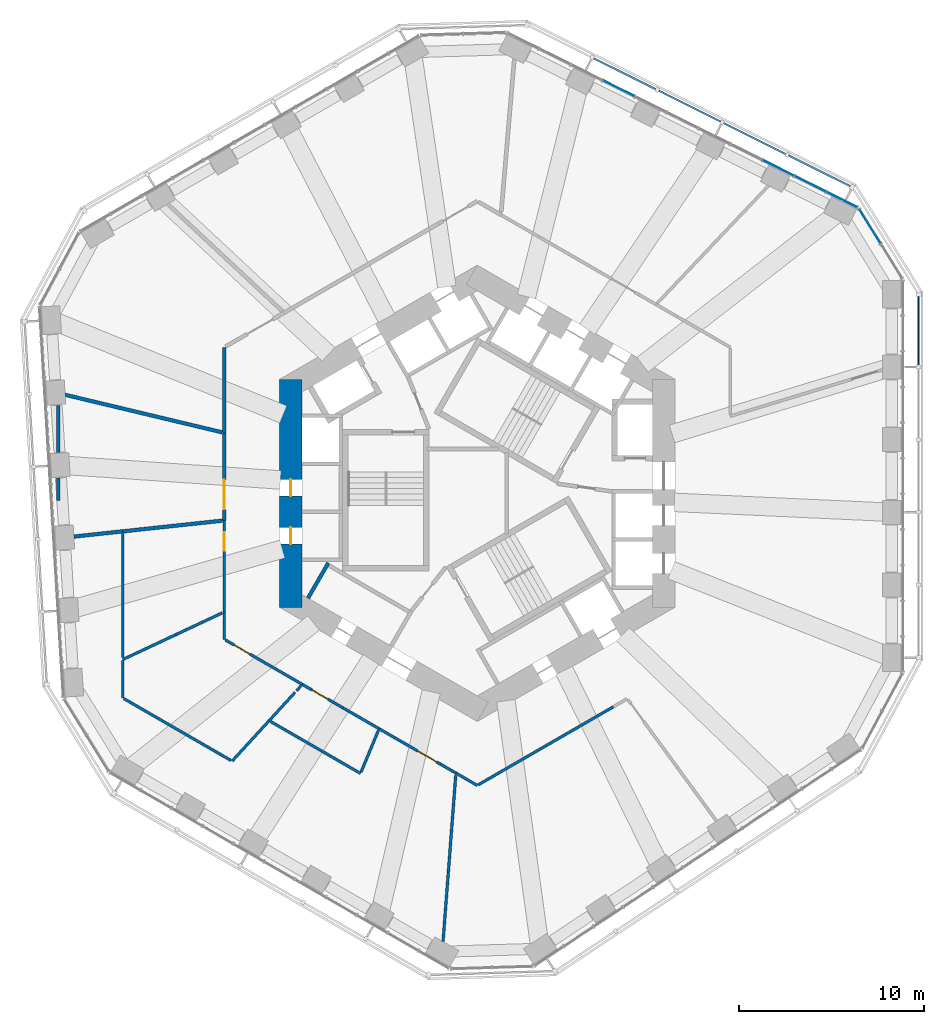
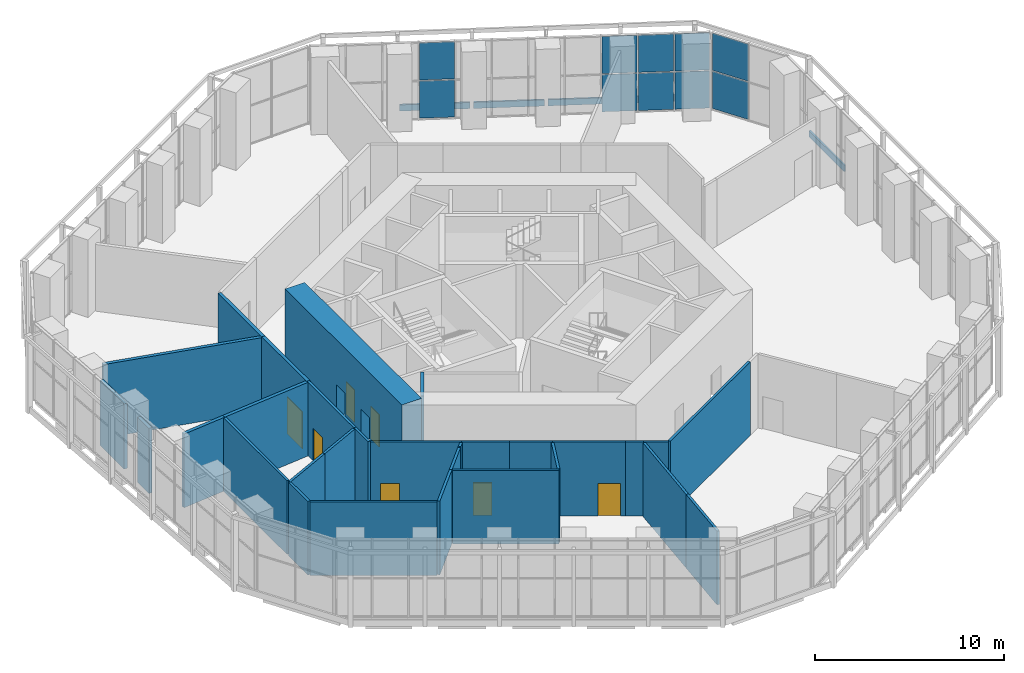
# One storey, part 13 of 19: 30 walls, 15 plates, 7 doors, 7 openings, 4 elements without a shape of their own.
"""IFC4 building model written with IfcOpenShell, lengths in metres."""

from ifc_helpers import new_model, si_unit, direction, frame, frame_2d, origin, origin_2d, place, context, subcontext, project, spatial, rectangle, extrude, material, layer, layer_set, type_object, element, fill, aggregate, save


model = new_model("IFC4")

# Units and contexts
model_context = context("Model", 3, precision=1e-05, world=origin(), true_north=direction((0.0, 1.0)))
body_context = subcontext(model_context, "Body", "Model", "MODEL_VIEW")
ifc_project = project(units=[si_unit("LENGTHUNIT", "METRE"), si_unit("AREAUNIT", "SQUARE_METRE"), si_unit("VOLUMEUNIT", "CUBIC_METRE"), si_unit("PLANEANGLEUNIT", "RADIAN"), si_unit("MASSUNIT", "GRAM", prefix="KILO")], contexts=[model_context])

# Site, building, storey
site_placement = place(None, origin())
site = spatial("IfcSite", under=ifc_project, at=site_placement, CompositionType="ELEMENT")
building_placement = place(site_placement, origin())
building = spatial("IfcBuilding", under=site, at=building_placement, Name="Vanh Sen Convention Tower", CompositionType="ELEMENT")
storey_placement = place(building_placement, frame((0.0, 0.0, 39.0)))
storey = spatial("IfcBuildingStorey", under=building, at=storey_placement, Name="L06", CompositionType="ELEMENT", Elevation=39.0)

# Curtain wall, plates
ifc_material_1 = material(Name="Aluminium structural glazing system", Category="aluminium")
curtain_wall_type_1 = type_object("IfcCurtainWallType", Name="Hotel lobby structural glazing", PredefinedType="NOTDEFINED", material=ifc_material_1)
curtain_wall_1_placement = place(storey_placement, origin())
curtain_wall_1 = element("IfcCurtainWall", 1, at=curtain_wall_1_placement, inside=storey, type_object=curtain_wall_type_1, Name="Hotel lobby glazing CH1 L06", PredefinedType="NOTDEFINED")
ifc_material_2 = material(Name="Clear toughened safety glass", Category="glass")
ifc_layer_1 = layer(ifc_material_2, 0.035888671875)
ifc_layer_set_1 = layer_set([ifc_layer_1], Name="Clear toughened safety glass")
plate_type_1 = type_object("IfcPlateType", Name="Lobby glazing clear glass panel 36", PredefinedType="CURTAIN_PANEL", material=ifc_layer_set_1)
plate_1_placement = place(storey_placement, frame((21.270751953125, 14.46337890625, 0.070068359375), z_axis=(0.0, 0.0, 1.0), x_axis=(-0.526205222812, 0.850357609177, 0.0)))
plate_1 = element("IfcPlate", 2, at=plate_1_placement, type_object=plate_type_1, Name="CW2 panel 2.1", PredefinedType="CURTAIN_PANEL", context=body_context, shape_type="SweptSolid", body=[
    extrude(rectangle(XDim=2.141845703125, YDim=0.035888671875, at=origin_2d()), origin(), (0.0, 0.0, 1.0), 2.39501953125),
])
plate_2_placement = place(storey_placement, frame((21.270751953125, 14.46337890625, 2.534912109375), z_axis=(0.0, 0.0, 1.0), x_axis=(-0.526205222812, 0.850357609177, 0.0)))
plate_2 = element("IfcPlate", 3, at=plate_2_placement, type_object=plate_type_1, Name="CW2 panel 2.2", PredefinedType="CURTAIN_PANEL", context=body_context, shape_type="SweptSolid", body=[
    extrude(rectangle(XDim=2.141845703125, YDim=0.035888671875, at=origin_2d()), origin(), (0.0, 0.0, 1.0), 2.39501953125),
])
aggregate(curtain_wall_1, [plate_1, plate_2])

curtain_wall_2_placement = place(storey_placement, origin())
curtain_wall_2 = element("IfcCurtainWall", 4, at=curtain_wall_2_placement, inside=storey, type_object=curtain_wall_type_1, Name="Hotel lobby glazing NE L06", PredefinedType="NOTDEFINED")
plate_3_placement = place(storey_placement, frame((19.75, 15.9091796875, 0.070068359375), z_axis=(0.0, 0.0, 1.0), x_axis=(-0.89493400144, 0.446198535483, 0.0)))
plate_3 = element("IfcPlate", 5, at=plate_3_placement, type_object=plate_type_1, Name="CW2 panel 1.1", PredefinedType="CURTAIN_PANEL", context=body_context, shape_type="SweptSolid", body=[
    extrude(rectangle(XDim=1.826416015625, YDim=0.035888671875, at=origin_2d()), origin(), (0.0, 0.0, 1.0), 2.39501953125),
])
plate_4_placement = place(storey_placement, frame((19.75, 15.9091796875, 2.534912109375), z_axis=(0.0, 0.0, 1.0), x_axis=(-0.89493400144, 0.446198535483, 0.0)))
plate_4 = element("IfcPlate", 6, at=plate_4_placement, type_object=plate_type_1, Name="CW2 panel 1.2", PredefinedType="CURTAIN_PANEL", context=body_context, shape_type="SweptSolid", body=[
    extrude(rectangle(XDim=1.826416015625, YDim=0.035888671875, at=origin_2d()), origin(), (0.0, 0.0, 1.0), 2.39501953125),
])
plate_5_placement = place(storey_placement, frame((18.037109375, 16.76318359375, 0.070068359375), z_axis=(0.0, 0.0, 1.0), x_axis=(-0.89493400144, 0.446198535483, 0.0)))
plate_5 = element("IfcPlate", 7, at=plate_5_placement, type_object=plate_type_1, Name="CW2 panel 2.1", PredefinedType="CURTAIN_PANEL", context=body_context, shape_type="SweptSolid", body=[
    extrude(rectangle(XDim=1.861572265625, YDim=0.035888671875, at=origin_2d()), origin(), (0.0, 0.0, 1.0), 2.39501953125),
])
plate_6_placement = place(storey_placement, frame((18.037109375, 16.76318359375, 2.534912109375), z_axis=(0.0, 0.0, 1.0), x_axis=(-0.89493400144, 0.446198535483, 0.0)))
plate_6 = element("IfcPlate", 8, at=plate_6_placement, type_object=plate_type_1, Name="CW2 panel 2.2", PredefinedType="CURTAIN_PANEL", context=body_context, shape_type="SweptSolid", body=[
    extrude(rectangle(XDim=1.861572265625, YDim=0.035888671875, at=origin_2d()), origin(), (0.0, 0.0, 1.0), 2.39501953125),
])
plate_7_placement = place(storey_placement, frame((16.30859375, 17.625, 0.070068359375), z_axis=(0.0, 0.0, 1.0), x_axis=(-0.89493400144, 0.446198535483, 0.0)))
plate_7 = element("IfcPlate", 9, at=plate_7_placement, type_object=plate_type_1, Name="CW2 panel 3.1", PredefinedType="CURTAIN_PANEL", context=body_context, shape_type="SweptSolid", body=[
    extrude(rectangle(XDim=1.861572265625, YDim=0.035888671875, at=origin_2d()), origin(), (0.0, 0.0, 1.0), 2.39501953125),
])
plate_8_placement = place(storey_placement, frame((16.30859375, 17.625, 2.534912109375), z_axis=(0.0, 0.0, 1.0), x_axis=(-0.89493400144, 0.446198535483, 0.0)))
plate_8 = element("IfcPlate", 10, at=plate_8_placement, type_object=plate_type_1, Name="CW2 panel 3.2", PredefinedType="CURTAIN_PANEL", context=body_context, shape_type="SweptSolid", body=[
    extrude(rectangle(XDim=1.861572265625, YDim=0.035888671875, at=origin_2d()), origin(), (0.0, 0.0, 1.0), 2.39501953125),
])
plate_9_placement = place(storey_placement, frame((7.665771484375, 21.93408203125, 0.070068359375), z_axis=(0.0, 0.0, 1.0), x_axis=(-0.89493400144, 0.446198535483, 0.0)))
plate_9 = element("IfcPlate", 11, at=plate_9_placement, type_object=plate_type_1, Name="CW2 panel 8.1", PredefinedType="CURTAIN_PANEL", context=body_context, shape_type="SweptSolid", body=[
    extrude(rectangle(XDim=1.861572265625, YDim=0.035888671875, at=origin_2d()), origin(), (0.0, 0.0, 1.0), 2.39501953125),
])
plate_10_placement = place(storey_placement, frame((7.665771484375, 21.93408203125, 2.534912109375), z_axis=(0.0, 0.0, 1.0), x_axis=(-0.89493400144, 0.446198535483, 0.0)))
plate_10 = element("IfcPlate", 12, at=plate_10_placement, type_object=plate_type_1, Name="CW2 panel 8.2", PredefinedType="CURTAIN_PANEL", context=body_context, shape_type="SweptSolid", body=[
    extrude(rectangle(XDim=1.861572265625, YDim=0.035888671875, at=origin_2d()), origin(), (0.0, 0.0, 1.0), 2.39501953125),
])
aggregate(curtain_wall_2, [plate_3, plate_4, plate_5, plate_6, plate_7, plate_8, plate_9, plate_10])

# Curtain wall, plate
ifc_material_3 = material(Name="Concrete C50/60", Category="concrete")
curtain_wall_type_2 = type_object("IfcCurtainWallType", Name="Outer skin hotel zone", PredefinedType="NOTDEFINED", material=ifc_material_3)
curtain_wall_3_placement = place(storey_placement, origin())
curtain_wall_3 = element("IfcCurtainWall", 13, at=curtain_wall_3_placement, inside=storey, type_object=curtain_wall_type_2, Name="OUTER SKIN E L06", PredefinedType="NOTDEFINED")
ifc_layer_2 = layer(ifc_material_3, 0.10009765625)
ifc_layer_set_2 = layer_set([ifc_layer_2], Name="Concrete C50/60")
plate_type_2 = type_object("IfcPlateType", Name="Outer skin precast screen panel 100", PredefinedType="CURTAIN_PANEL", material=ifc_layer_set_2)
plate_11_placement = place(storey_placement, frame((23.89990234375, 8.7939453125, 0.0), z_axis=(0.0, 0.0, 1.0), x_axis=(0.0, 1.0, 0.0)))
plate_11 = element("IfcPlate", 14, at=plate_11_placement, type_object=plate_type_2, Name="OUTER SKIN screen panel E-5", PredefinedType="CURTAIN_PANEL", context=body_context, shape_type="SweptSolid", body=[
    extrude(rectangle(XDim=3.709716796875, YDim=0.10009765625, at=origin_2d()), origin(), (0.0, 0.0, 1.0), 0.39990234375),
])
aggregate(curtain_wall_3, [plate_11])

# Curtain wall, plates
curtain_wall_4_placement = place(storey_placement, origin())
curtain_wall_4 = element("IfcCurtainWall", 15, at=curtain_wall_4_placement, inside=storey, type_object=curtain_wall_type_2, Name="OUTER SKIN NE L06", PredefinedType="NOTDEFINED")
plate_12_placement = place(storey_placement, frame((18.5341796875, 17.465087890625, 0.0), z_axis=(0.0, 0.0, 1.0), x_axis=(-0.894935140363, 0.446196251154, 0.0)))
plate_12 = element("IfcPlate", 16, at=plate_12_placement, type_object=plate_type_2, Name="OUTER SKIN screen panel NE-1", PredefinedType="CURTAIN_PANEL", context=body_context, shape_type="SweptSolid", body=[
    extrude(rectangle(XDim=3.709716796875, YDim=0.10009765625, at=origin_2d()), origin(), (0.0, 0.0, 1.0), 0.39990234375),
])
plate_13_placement = place(storey_placement, frame((15.024169921875, 19.215087890625, 0.0), z_axis=(0.0, 0.0, 1.0), x_axis=(-0.894935140363, 0.446196251154, 0.0)))
plate_13 = element("IfcPlate", 17, at=plate_13_placement, type_object=plate_type_2, Name="OUTER SKIN screen panel NE-2", PredefinedType="CURTAIN_PANEL", context=body_context, shape_type="SweptSolid", body=[
    extrude(rectangle(XDim=3.734619140625, YDim=0.10009765625, at=origin_2d()), origin(), (0.0, 0.0, 1.0), 0.39990234375),
])
plate_14_placement = place(storey_placement, frame((11.5029296875, 20.970703125, 0.0), z_axis=(0.0, 0.0, 1.0), x_axis=(-0.894935140363, 0.446196251154, 0.0)))
plate_14 = element("IfcPlate", 18, at=plate_14_placement, type_object=plate_type_2, Name="OUTER SKIN screen panel NE-3", PredefinedType="CURTAIN_PANEL", context=body_context, shape_type="SweptSolid", body=[
    extrude(rectangle(XDim=3.734619140625, YDim=0.10009765625, at=origin_2d()), origin(), (0.0, 0.0, 1.0), 0.39990234375),
])
plate_15_placement = place(storey_placement, frame((7.981689453125, 22.726318359375, 0.0), z_axis=(0.0, 0.0, 1.0), x_axis=(-0.894935140363, 0.446196251154, 0.0)))
plate_15 = element("IfcPlate", 19, at=plate_15_placement, type_object=plate_type_2, Name="OUTER SKIN screen panel NE-4", PredefinedType="CURTAIN_PANEL", context=body_context, shape_type="SweptSolid", body=[
    extrude(rectangle(XDim=3.734619140625, YDim=0.10009765625, at=origin_2d()), origin(), (0.0, 0.0, 1.0), 0.39990234375),
])
aggregate(curtain_wall_4, [plate_12, plate_13, plate_14, plate_15])

# Wall, openings, doors
ifc_material_4 = material(Name="Concrete C80/95", Category="concrete")
ifc_layer_3 = layer(ifc_material_4, 1.199951171875)
ifc_layer_set_3 = layer_set([ifc_layer_3], Name="Concrete C80/95")
wall_type_1 = type_object("IfcWallType", Name="Core outer wall 1200 C80/95", PredefinedType="SHEAR", material=ifc_layer_set_3)
wall_1_placement = place(storey_placement, frame((-10.10009765625, 6.177490234375, 0.0), z_axis=(0.0, 0.0, 1.0), x_axis=(0.0, -1.0, 0.0)))
wall_1 = element("IfcWall", 20, at=wall_1_placement, inside=storey, type_object=wall_type_1, Name="Core wall face W L06", PredefinedType="SHEAR", context=body_context, shape_type="SweptSolid", body=[
    extrude(rectangle(XDim=12.35498046875, YDim=1.199951171875, at=frame_2d((6.177490234375, 0.0))), origin(), (0.0, 0.0, 1.0), 5.0),
])
opening_1_placement = place(wall_1_placement, frame((5.427490234375, 0.0, 0.0)))
opening_1 = element("IfcOpeningElement", 21, at=opening_1_placement, cuts=wall_1, Name="Opening D06010", PredefinedType="OPENING", context=body_context, shape_type="SweptSolid", body=[
    extrude(rectangle(XDim=0.89990234375, YDim=2.10009765625, at=frame_2d((0.449951171875, 1.050048828125))), frame((0.0, 0.60986328125, 0.0), z_axis=(0.0, -1.0, 0.0), x_axis=(1.0, 0.0, 0.0)), (0.0, 0.0, 1.0), 1.219970703125),
])
opening_2_placement = place(wall_1_placement, frame((8.027587890625, 0.0, 0.0)))
opening_2 = element("IfcOpeningElement", 22, at=opening_2_placement, cuts=wall_1, Name="Opening D06011", PredefinedType="OPENING", context=body_context, shape_type="SweptSolid", body=[
    extrude(rectangle(XDim=0.89990234375, YDim=2.10009765625, at=frame_2d((0.449951171875, 1.050048828125))), frame((0.0, 0.60986328125, 0.0), z_axis=(0.0, -1.0, 0.0), x_axis=(1.0, 0.0, 0.0)), (0.0, 0.0, 1.0), 1.219970703125),
])
ifc_material_5 = material(Name="Steel S355", Category="steel")
door_type_1 = type_object("IfcDoorType", Name="Plant door 900", OperationType="SINGLE_SWING_LEFT", PredefinedType="DOOR", material=ifc_material_5)
door_1_placement = place(opening_1_placement, origin())
door_1 = element("IfcDoor", 23, at=door_1_placement, inside=storey, type_object=door_type_1, Name="Plant door D06010", OperationType="SINGLE_SWING_LEFT", OverallHeight=2.10009765625, OverallWidth=0.89990234375, PredefinedType="DOOR", context=body_context, shape_type="SweptSolid", body=[
    extrude(rectangle(XDim=0.89990234375, YDim=2.10009765625, at=frame_2d((0.449951171875, 1.050048828125))), frame((0.0, 0.02490234375, 0.0), z_axis=(0.0, -1.0, 0.0), x_axis=(1.0, 0.0, 0.0)), (0.0, 0.0, 1.0), 0.050048828125),
])
fill(opening_1, door_1)
door_2_placement = place(opening_2_placement, origin())
door_2 = element("IfcDoor", 24, at=door_2_placement, inside=storey, type_object=door_type_1, Name="Plant door D06011", OperationType="SINGLE_SWING_LEFT", OverallHeight=2.10009765625, OverallWidth=0.89990234375, PredefinedType="DOOR", context=body_context, shape_type="SweptSolid", body=[
    extrude(rectangle(XDim=0.89990234375, YDim=2.10009765625, at=frame_2d((0.449951171875, 1.050048828125))), frame((0.0, 0.02490234375, 0.0), z_axis=(0.0, -1.0, 0.0), x_axis=(1.0, 0.0, 0.0)), (0.0, 0.0, 1.0), 0.050048828125),
])
fill(opening_2, door_2)

# Walls
ifc_material_6 = material(Name="Concrete C40/50", Category="concrete")
ifc_layer_4 = layer(ifc_material_6, 0.199951171875)
ifc_layer_set_4 = layer_set([ifc_layer_4], Name="Concrete C40/50")
wall_type_2 = type_object("IfcWallType", Name="Lift shaft wall 200", PredefinedType="PARTITIONING", material=ifc_layer_set_4)
wall_2_placement = place(storey_placement, frame((-8.066650390625, -3.77197265625, 0.0), z_axis=(0.0, 0.0, 1.0), x_axis=(-0.50002983664, -0.866008176907, 0.0)))
element("IfcWall", 25, at=wall_2_placement, inside=storey, type_object=wall_type_2, Name="Lift shaft wall L06", PredefinedType="PARTITIONING", context=body_context, shape_type="SweptSolid", body=[
    extrude(rectangle(XDim=2.199951171875, YDim=0.199951171875, at=frame_2d((1.10009765625, 0.0))), origin(), (0.0, 0.0, 1.0), 4.75),
])
ifc_material_7 = material(Name="Gypsum board on steel studs", Category="steel")
ifc_layer_5 = layer(ifc_material_7, 0.14990234375)
ifc_layer_set_5 = layer_set([ifc_layer_5], Name="Gypsum board on steel studs")
wall_type_3 = type_object("IfcWallType", Name="Partition 150", PredefinedType="PARTITIONING", material=ifc_layer_set_5)
wall_3_placement = place(storey_placement, frame((-7.267578125, -11.623291015625, 0.0), z_axis=(0.0, 0.0, 1.0), x_axis=(0.865961984968, -0.500109828528, 0.0)))
element("IfcWall", 26, at=wall_3_placement, inside=storey, type_object=wall_type_3, Name="Partition L06-011", PredefinedType="PARTITIONING", context=body_context, shape_type="SweptSolid", body=[
    extrude(rectangle(XDim=2.2548828125, YDim=0.14990234375, at=frame_2d((1.12744140625, 0.0))), origin(), (0.0, 0.0, 1.0), 4.75),
])

# Wall, opening, door
wall_4_placement = place(storey_placement, frame((-7.267578125, -11.623291015625, 0.0), z_axis=(0.0, 0.0, 1.0), x_axis=(-0.866022790583, 0.50000452617, 0.0)))
wall_4 = element("IfcWall", 27, at=wall_4_placement, inside=storey, type_object=wall_type_3, Name="Partition L06-012", PredefinedType="PARTITIONING", context=body_context, shape_type="SweptSolid", body=[
    extrude(rectangle(XDim=2.54736328125, YDim=0.14990234375, at=frame_2d((1.273681640625, 0.0))), origin(), (0.0, 0.0, 1.0), 4.75),
])
opening_3_placement = place(wall_4_placement, frame((0.947509765625, 0.0, 0.0)))
opening_3 = element("IfcOpeningElement", 28, at=opening_3_placement, cuts=wall_4, Name="Opening D06102", PredefinedType="OPENING", context=body_context, shape_type="SweptSolid", body=[
    extrude(rectangle(XDim=1.0, YDim=2.10009765625, at=frame_2d((0.5, 1.050048828125))), frame((0.0, 0.0849609375, 0.0), z_axis=(0.0, -1.0, 0.0), x_axis=(1.0, 0.0, 0.0)), (0.0, 0.0, 1.0), 0.169921875),
])
ifc_material_8 = material(Name="Timber door in steel frame", Category="steel")
door_type_2 = type_object("IfcDoorType", Name="Room door 1000", OperationType="SINGLE_SWING_LEFT", PredefinedType="DOOR", material=ifc_material_8)
door_3_placement = place(opening_3_placement, origin())
door_3 = element("IfcDoor", 29, at=door_3_placement, inside=storey, type_object=door_type_2, Name="Room door D06102", OperationType="SINGLE_SWING_LEFT", OverallHeight=2.10009765625, OverallWidth=1.0, PredefinedType="DOOR", context=body_context, shape_type="SweptSolid", body=[
    extrude(rectangle(XDim=1.0, YDim=2.10009765625, at=frame_2d((0.5, 1.050048828125))), frame((0.0, 0.02490234375, 0.0), z_axis=(0.0, -1.0, 0.0), x_axis=(1.0, 0.0, 0.0)), (0.0, 0.0, 1.0), 0.050048828125),
])
fill(opening_3, door_3)

# Walls
wall_5_placement = place(storey_placement, frame((-9.863525390625, -10.775634765625, 0.0), z_axis=(0.0, 0.0, 1.0), x_axis=(-0.675230708375, -0.737606596004, 0.0)))
element("IfcWall", 30, at=wall_5_placement, inside=storey, type_object=wall_type_3, Name="Partition L06-017", PredefinedType="PARTITIONING", context=body_context, shape_type="SweptSolid", body=[
    extrude(rectangle(XDim=2.082275390625, YDim=0.14990234375, at=frame_2d((1.041015625, 0.0))), origin(), (0.0, 0.0, 1.0), 4.75),
])
wall_6_placement = place(storey_placement, frame((-9.541259765625, -10.42333984375, 0.0), z_axis=(0.0, 0.0, 1.0), x_axis=(-0.675300220393, -0.737542956266, 0.0)))
element("IfcWall", 31, at=wall_6_placement, inside=storey, type_object=wall_type_3, Name="Partition L06-018", PredefinedType="PARTITIONING", context=body_context, shape_type="SweptSolid", body=[
    extrude(rectangle(XDim=0.36474609375, YDim=0.14990234375, at=frame_2d((0.182373046875, 0.0))), origin(), (0.0, 0.0, 1.0), 4.75),
])

# Wall, opening, door
wall_7_placement = place(storey_placement, frame((-9.4736328125, -10.349609375, 0.0), z_axis=(0.0, 0.0, 1.0), x_axis=(-0.866015203027, 0.500017667814, 0.0)))
wall_7 = element("IfcWall", 32, at=wall_7_placement, inside=storey, type_object=wall_type_3, Name="Partition L06-019", PredefinedType="PARTITIONING", context=body_context, shape_type="SweptSolid", body=[
    extrude(rectangle(XDim=4.820068359375, YDim=0.14990234375, at=frame_2d((2.41015625, 0.0))), origin(), (0.0, 0.0, 1.0), 4.75),
])
opening_4_placement = place(wall_7_placement, frame((3.270263671875, 0.0, 0.0)))
opening_4 = element("IfcOpeningElement", 33, at=opening_4_placement, cuts=wall_7, Name="Opening D06104", PredefinedType="OPENING", context=body_context, shape_type="SweptSolid", body=[
    extrude(rectangle(XDim=1.0, YDim=2.10009765625, at=frame_2d((0.5, 1.050048828125))), frame((0.0, 0.0849609375, 0.0), z_axis=(0.0, -1.0, 0.0), x_axis=(1.0, 0.0, 0.0)), (0.0, 0.0, 1.0), 0.169921875),
])
door_4_placement = place(opening_4_placement, origin())
door_4 = element("IfcDoor", 34, at=door_4_placement, inside=storey, type_object=door_type_2, Name="Room door D06104", OperationType="SINGLE_SWING_LEFT", OverallHeight=2.10009765625, OverallWidth=1.0, PredefinedType="DOOR", context=body_context, shape_type="SweptSolid", body=[
    extrude(rectangle(XDim=1.0, YDim=2.10009765625, at=frame_2d((0.5, 1.050048828125))), frame((0.0, 0.02490234375, 0.0), z_axis=(0.0, -1.0, 0.0), x_axis=(1.0, 0.0, 0.0)), (0.0, 0.0, 1.0), 0.050048828125),
])
fill(opening_4, door_4)

# Walls
wall_8_placement = place(storey_placement, frame((-19.195068359375, -9.001220703125, 0.0), z_axis=(0.0, 0.0, 1.0), x_axis=(0.905429304732, 0.424497083775, 0.0)))
element("IfcWall", 35, at=wall_8_placement, inside=storey, type_object=wall_type_3, Name="Partition L06-020", PredefinedType="PARTITIONING", context=body_context, shape_type="SweptSolid", body=[
    extrude(rectangle(XDim=3.166748046875, YDim=0.14990234375, at=frame_2d((1.58349609375, 0.0))), origin(), (0.0, 0.0, 1.0), 4.75),
])
wall_9_placement = place(storey_placement, frame((-13.699951171875, -7.909423828125, 0.0), z_axis=(0.0, 0.0, 1.0), x_axis=(0.0, 1.0, 0.0)))
element("IfcWall", 36, at=wall_9_placement, inside=storey, type_object=wall_type_3, Name="Partition L06-022", PredefinedType="PARTITIONING", context=body_context, shape_type="SweptSolid", body=[
    extrude(rectangle(XDim=1.48486328125, YDim=0.14990234375, at=frame_2d((0.742431640625, 0.0))), origin(), (0.0, 0.0, 1.0), 4.75),
])
wall_10_placement = place(storey_placement, frame((-16.327880859375, -7.656982421875, 0.0), z_axis=(0.0, 0.0, 1.0), x_axis=(0.905358810438, 0.424647411815, 0.0)))
element("IfcWall", 37, at=wall_10_placement, inside=storey, type_object=wall_type_3, Name="Partition L06-023", PredefinedType="PARTITIONING", context=body_context, shape_type="SweptSolid", body=[
    extrude(rectangle(XDim=2.78271484375, YDim=0.14990234375, at=frame_2d((1.391357421875, 0.0))), origin(), (0.0, 0.0, 1.0), 4.75),
])

# Wall, opening, door
wall_11_placement = place(storey_placement, frame((-13.699951171875, -6.424560546875, 0.0), z_axis=(0.0, 0.0, 1.0), x_axis=(0.0, 1.0, 0.0)))
wall_11 = element("IfcWall", 38, at=wall_11_placement, inside=storey, type_object=wall_type_3, Name="Partition L06-024", PredefinedType="PARTITIONING", context=body_context, shape_type="SweptSolid", body=[
    extrude(rectangle(XDim=4.9541015625, YDim=0.14990234375, at=frame_2d((2.47705078125, 0.0))), origin(), (0.0, 0.0, 1.0), 4.75),
])
opening_5_placement = place(wall_11_placement, frame((3.303955078125, 0.0, 0.0)))
opening_5 = element("IfcOpeningElement", 39, at=opening_5_placement, cuts=wall_11, Name="Opening D06105", PredefinedType="OPENING", context=body_context, shape_type="SweptSolid", body=[
    extrude(rectangle(XDim=1.0, YDim=2.10009765625, at=frame_2d((0.5, 1.050048828125))), frame((0.0, 0.0849609375, 0.0), z_axis=(0.0, -1.0, 0.0), x_axis=(1.0, 0.0, 0.0)), (0.0, 0.0, 1.0), 0.169921875),
])
door_5_placement = place(opening_5_placement, origin())
door_5 = element("IfcDoor", 40, at=door_5_placement, inside=storey, type_object=door_type_2, Name="Room door D06105", OperationType="SINGLE_SWING_LEFT", OverallHeight=2.10009765625, OverallWidth=1.0, PredefinedType="DOOR", context=body_context, shape_type="SweptSolid", body=[
    extrude(rectangle(XDim=1.0, YDim=2.10009765625, at=frame_2d((0.5, 1.050048828125))), frame((0.0, 0.02490234375, 0.0), z_axis=(0.0, -1.0, 0.0), x_axis=(1.0, 0.0, 0.0)), (0.0, 0.0, 1.0), 0.050048828125),
])
fill(opening_5, door_5)

# Walls
ifc_layer_6 = layer(ifc_material_7, 0.14990234375)
ifc_layer_set_6 = layer_set([ifc_layer_6], Name="Gypsum board on steel studs")
wall_type_4 = type_object("IfcWallType", Name="Partition 150 EI 60", PredefinedType="PARTITIONING", material=ifc_layer_set_6)
wall_12_placement = place(storey_placement, frame((-1.56591796875, -20.5234375, 0.0), z_axis=(0.0, 0.0, 1.0), x_axis=(-0.076160714472, -0.997095554885, 0.0)))
element("IfcWall", 41, at=wall_12_placement, inside=storey, type_object=wall_type_4, Name="Partition L06-001", PredefinedType="PARTITIONING", context=body_context, shape_type="SweptSolid", body=[
    extrude(rectangle(XDim=3.763427734375, YDim=0.14990234375, at=frame_2d((1.8818359375, 0.0))), origin(), (0.0, 0.0, 1.0), 4.75),
])
wall_13_placement = place(storey_placement, frame((-1.56591796875, -20.5234375, 0.0), z_axis=(0.0, 0.0, 1.0), x_axis=(0.076111619942, 0.997099303635, 0.0)))
element("IfcWall", 42, at=wall_13_placement, inside=storey, type_object=wall_type_4, Name="Partition L06-002", PredefinedType="PARTITIONING", context=body_context, shape_type="SweptSolid", body=[
    extrude(rectangle(XDim=5.26708984375, YDim=0.14990234375, at=frame_2d((2.633544921875, 0.0))), origin(), (0.0, 0.0, 1.0), 4.75),
])
wall_14_placement = place(storey_placement, frame((0.0, -15.819580078125, 0.0), z_axis=(0.0, 0.0, 1.0), x_axis=(-0.866005883338, 0.50003380888, 0.0)))
element("IfcWall", 43, at=wall_14_placement, inside=storey, type_object=wall_type_4, Name="Partition L06-003", PredefinedType="PARTITIONING", context=body_context, shape_type="SweptSolid", body=[
    extrude(rectangle(XDim=1.3349609375, YDim=0.14990234375, at=frame_2d((0.66748046875, 0.0))), origin(), (0.0, 0.0, 1.0), 4.75),
])
wall_15_placement = place(storey_placement, frame((-6.323486328125, -15.17041015625, 0.0), z_axis=(0.0, 0.0, 1.0), x_axis=(-0.86604797581, 0.499960902066, 0.0)))
element("IfcWall", 44, at=wall_15_placement, inside=storey, type_object=wall_type_4, Name="Partition L06-004", PredefinedType="PARTITIONING", context=body_context, shape_type="SweptSolid", body=[
    extrude(rectangle(XDim=5.61328125, YDim=0.14990234375, at=frame_2d((2.806640625, 0.0))), origin(), (0.0, 0.0, 1.0), 4.75),
])
wall_16_placement = place(storey_placement, frame((-1.156005859375, -15.152099609375, 0.0), z_axis=(0.0, 0.0, 1.0), x_axis=(-0.865958968312, 0.500115051963, 0.0)))
element("IfcWall", 45, at=wall_16_placement, inside=storey, type_object=wall_type_4, Name="Partition L06-005", PredefinedType="PARTITIONING", context=body_context, shape_type="SweptSolid", body=[
    extrude(rectangle(XDim=0.950927734375, YDim=0.14990234375, at=frame_2d((0.4755859375, 0.0))), origin(), (0.0, 0.0, 1.0), 4.75),
])
wall_17_placement = place(storey_placement, frame((-6.291748046875, -15.09375, 0.0), z_axis=(0.0, 0.0, 1.0), x_axis=(0.384800232596, 0.922999881362, 0.0)))
element("IfcWall", 46, at=wall_17_placement, inside=storey, type_object=wall_type_4, Name="Partition L06-006", PredefinedType="PARTITIONING", context=body_context, shape_type="SweptSolid", body=[
    extrude(rectangle(XDim=2.438232421875, YDim=0.14990234375, at=frame_2d((1.21923828125, 0.0))), origin(), (0.0, 0.0, 1.0), 4.75),
])

# Wall, opening, door
wall_18_placement = place(storey_placement, frame((-1.9794921875, -14.676513671875, 0.0), z_axis=(0.0, 0.0, 1.0), x_axis=(-0.866046247233, 0.49996389635, 0.0)))
wall_18 = element("IfcWall", 47, at=wall_18_placement, inside=storey, type_object=wall_type_4, Name="Partition L06-008", PredefinedType="PARTITIONING", context=body_context, shape_type="SweptSolid", body=[
    extrude(rectangle(XDim=3.851318359375, YDim=0.14990234375, at=frame_2d((1.92578125, 0.0))), origin(), (0.0, 0.0, 1.0), 4.75),
])
opening_6_placement = place(wall_18_placement, frame((0.25, 0.0, 0.0)))
opening_6 = element("IfcOpeningElement", 48, at=opening_6_placement, cuts=wall_18, Name="Opening D06101", PredefinedType="OPENING", context=body_context, shape_type="SweptSolid", body=[
    extrude(rectangle(XDim=1.199951171875, YDim=2.10009765625, at=frame_2d((0.60009765625, 1.050048828125))), frame((0.0, 0.0849609375, 0.0), z_axis=(0.0, -1.0, 0.0), x_axis=(1.0, 0.0, 0.0)), (0.0, 0.0, 1.0), 0.169921875),
])
door_type_3 = type_object("IfcDoorType", Name="Room door 1200 EI 30", OperationType="SINGLE_SWING_LEFT", PredefinedType="DOOR", material=ifc_material_8)
door_6_placement = place(opening_6_placement, origin())
door_6 = element("IfcDoor", 49, at=door_6_placement, inside=storey, type_object=door_type_3, Name="Room door D06101", OperationType="SINGLE_SWING_LEFT", OverallHeight=2.10009765625, OverallWidth=1.199951171875, PredefinedType="DOOR", context=body_context, shape_type="SweptSolid", body=[
    extrude(rectangle(XDim=1.199951171875, YDim=2.10009765625, at=frame_2d((0.60009765625, 1.050048828125))), frame((0.0, 0.02490234375, 0.0), z_axis=(0.0, -1.0, 0.0), x_axis=(1.0, 0.0, 0.0)), (0.0, 0.0, 1.0), 0.050048828125),
])
fill(opening_6, door_6)

# Walls
wall_19_placement = place(storey_placement, frame((-13.34619140625, -14.464599609375, 0.0), z_axis=(0.0, 0.0, 1.0), x_axis=(-0.866027799164, 0.499995851058, 0.0)))
element("IfcWall", 50, at=wall_19_placement, inside=storey, type_object=wall_type_4, Name="Partition L06-009", PredefinedType="PARTITIONING", context=body_context, shape_type="SweptSolid", body=[
    extrude(rectangle(XDim=6.69921875, YDim=0.14990234375, at=frame_2d((3.349609375, 0.0))), origin(), (0.0, 0.0, 1.0), 4.75),
])
wall_20_placement = place(storey_placement, frame((-11.271484375, -12.31396484375, 0.0), z_axis=(0.0, 0.0, 1.0), x_axis=(-0.675307605495, -0.73753619434, 0.0)))
element("IfcWall", 51, at=wall_20_placement, inside=storey, type_object=wall_type_4, Name="Partition L06-010", PredefinedType="PARTITIONING", context=body_context, shape_type="SweptSolid", body=[
    extrude(rectangle(XDim=2.969970703125, YDim=0.14990234375, at=frame_2d((1.48486328125, 0.0))), origin(), (0.0, 0.0, 1.0), 4.75),
])
wall_21_placement = place(storey_placement, frame((7.369384765625, -11.564453125, 0.0), z_axis=(0.0, 0.0, 1.0), x_axis=(-0.86600466253, -0.500035923186, 0.0)))
element("IfcWall", 52, at=wall_21_placement, inside=storey, type_object=wall_type_4, Name="Partition L06-013", PredefinedType="PARTITIONING", context=body_context, shape_type="SweptSolid", body=[
    extrude(rectangle(XDim=8.44970703125, YDim=0.14990234375, at=frame_2d((4.224853515625, 0.0))), origin(), (0.0, 0.0, 1.0), 4.75),
])
wall_22_placement = place(storey_placement, frame((-19.199951171875, -11.0849609375, 0.0), z_axis=(0.0, 0.0, 1.0), x_axis=(0.0, 1.0, 0.0)))
element("IfcWall", 53, at=wall_22_placement, inside=storey, type_object=wall_type_4, Name="Partition L06-016", PredefinedType="PARTITIONING", context=body_context, shape_type="SweptSolid", body=[
    extrude(rectangle(XDim=2.023681640625, YDim=0.14990234375, at=frame_2d((1.01171875, 0.0))), origin(), (0.0, 0.0, 1.0), 4.75),
])
wall_23_placement = place(storey_placement, frame((-19.199951171875, -8.883544921875, 0.0), z_axis=(0.0, 0.0, 1.0), x_axis=(0.0, 1.0, 0.0)))
element("IfcWall", 54, at=wall_23_placement, inside=storey, type_object=wall_type_4, Name="Partition L06-021", PredefinedType="PARTITIONING", context=body_context, shape_type="SweptSolid", body=[
    extrude(rectangle(XDim=6.702392578125, YDim=0.14990234375, at=frame_2d((3.35107421875, 0.0))), origin(), (0.0, 0.0, 1.0), 4.75),
])
ifc_material_9 = material(Name="Concrete C20/25", Category="concrete")
ifc_layer_7 = layer(ifc_material_9, 0.199951171875)
ifc_layer_set_7 = layer_set([ifc_layer_7], Name="Concrete C20/25")
wall_type_5 = type_object("IfcWallType", Name="Partition 200 EI 120", PredefinedType="PARTITIONING", material=ifc_layer_set_7)
wall_24_placement = place(storey_placement, frame((-19.202392578125, -2.0595703125, 0.0), z_axis=(0.0, 0.0, 1.0), x_axis=(-0.994230080877, -0.107268570793, 0.0)))
element("IfcWall", 55, at=wall_24_placement, inside=storey, type_object=wall_type_5, Name="Partition L06-025", PredefinedType="PARTITIONING", context=body_context, shape_type="SweptSolid", body=[
    extrude(rectangle(XDim=2.66064453125, YDim=0.199951171875, at=frame_2d((1.330322265625, 0.0))), origin(), (0.0, 0.0, 1.0), 4.75),
])
wall_25_placement = place(storey_placement, frame((-19.199951171875, -2.06103515625, 0.0), z_axis=(0.0, 0.0, 1.0), x_axis=(0.994285834481, 0.106750547303, 0.0)))
element("IfcWall", 56, at=wall_25_placement, inside=storey, type_object=wall_type_5, Name="Partition L06-026", PredefinedType="PARTITIONING", context=body_context, shape_type="SweptSolid", body=[
    extrude(rectangle(XDim=5.431640625, YDim=0.199951171875, at=frame_2d((2.7158203125, 0.0))), origin(), (0.0, 0.0, 1.0), 4.75),
])

# Wall, opening, door
wall_26_placement = place(storey_placement, frame((-13.699951171875, -1.470458984375, 0.0), z_axis=(0.0, 0.0, 1.0), x_axis=(0.0, 1.0, 0.0)))
wall_26 = element("IfcWall", 57, at=wall_26_placement, inside=storey, type_object=wall_type_5, Name="Partition L06-027", PredefinedType="PARTITIONING", context=body_context, shape_type="SweptSolid", body=[
    extrude(rectangle(XDim=4.744873046875, YDim=0.199951171875, at=frame_2d((2.37255859375, 0.0))), origin(), (0.0, 0.0, 1.0), 4.75),
])
opening_7_placement = place(wall_26_placement, frame((0.60009765625, 0.0, 0.0)))
opening_7 = element("IfcOpeningElement", 58, at=opening_7_placement, cuts=wall_26, Name="Opening D06106", PredefinedType="OPENING", context=body_context, shape_type="SweptSolid", body=[
    extrude(rectangle(XDim=1.60009765625, YDim=2.39990234375, at=frame_2d((0.800048828125, 1.199951171875))), frame((0.0, 0.10986328125, 0.0), z_axis=(0.0, -1.0, 0.0), x_axis=(1.0, 0.0, 0.0)), (0.0, 0.0, 1.0), 0.219970703125),
])
door_type_4 = type_object("IfcDoorType", Name="Double door 1600 EI 60", OperationType="DOUBLE_DOOR_SINGLE_SWING", PredefinedType="DOOR", material=ifc_material_8)
door_7_placement = place(opening_7_placement, origin())
door_7 = element("IfcDoor", 59, at=door_7_placement, inside=storey, type_object=door_type_4, Name="Double door D06106", OperationType="DOUBLE_DOOR_SINGLE_SWING", OverallHeight=2.39990234375, OverallWidth=1.60009765625, PredefinedType="DOOR", context=body_context, shape_type="SweptSolid", body=[
    extrude(rectangle(XDim=1.60009765625, YDim=2.39990234375, at=frame_2d((0.800048828125, 1.199951171875))), frame((0.0, 0.02490234375, 0.0), z_axis=(0.0, -1.0, 0.0), x_axis=(1.0, 0.0, 0.0)), (0.0, 0.0, 1.0), 0.050048828125),
])
fill(opening_7, door_7)

# Walls
wall_27_placement = place(storey_placement, frame((-22.697998046875, -0.37646484375, 0.0), z_axis=(0.0, 0.0, 1.0), x_axis=(-0.000407996702, 0.999999916769, 0.0)))
element("IfcWall", 60, at=wall_27_placement, inside=storey, type_object=wall_type_5, Name="Partition L06-028", PredefinedType="PARTITIONING", context=body_context, shape_type="SweptSolid", body=[
    extrude(rectangle(XDim=1.19677734375, YDim=0.199951171875, at=frame_2d((0.598388671875, 0.0))), origin(), (0.0, 0.0, 1.0), 4.199951171875),
])
wall_28_placement = place(storey_placement, frame((-22.698974609375, 2.222900390625, 0.0), z_axis=(0.0, 0.0, 1.0), x_axis=(-0.000288433792, 0.999999958403, 0.0)))
element("IfcWall", 61, at=wall_28_placement, inside=storey, type_object=wall_type_5, Name="Partition L06-029", PredefinedType="PARTITIONING", context=body_context, shape_type="SweptSolid", body=[
    extrude(rectangle(XDim=2.539306640625, YDim=0.199951171875, at=frame_2d((1.26953125, 0.0))), origin(), (0.0, 0.0, 1.0), 4.199951171875),
])
wall_29_placement = place(storey_placement, frame((-13.699951171875, 3.2744140625, 0.0), z_axis=(0.0, 0.0, 1.0), x_axis=(0.0, 1.0, 0.0)))
element("IfcWall", 62, at=wall_29_placement, inside=storey, type_object=wall_type_5, Name="Partition L06-030", PredefinedType="PARTITIONING", context=body_context, shape_type="SweptSolid", body=[
    extrude(rectangle(XDim=4.635009765625, YDim=0.199951171875, at=frame_2d((2.3173828125, 0.0))), origin(), (0.0, 0.0, 1.0), 4.75),
])
wall_30_placement = place(storey_placement, frame((-22.317138671875, 5.333984375, 0.0), z_axis=(0.0, 0.0, 1.0), x_axis=(0.972610750166, -0.232439946353, 0.0)))
element("IfcWall", 63, at=wall_30_placement, inside=storey, type_object=wall_type_5, Name="Partition L06-033", PredefinedType="PARTITIONING", context=body_context, shape_type="SweptSolid", body=[
    extrude(rectangle(XDim=8.73974609375, YDim=0.199951171875, at=frame_2d((4.369873046875, 0.0))), origin(), (0.0, 0.0, 1.0), 4.75),
])

save(model, "model.ifc")
